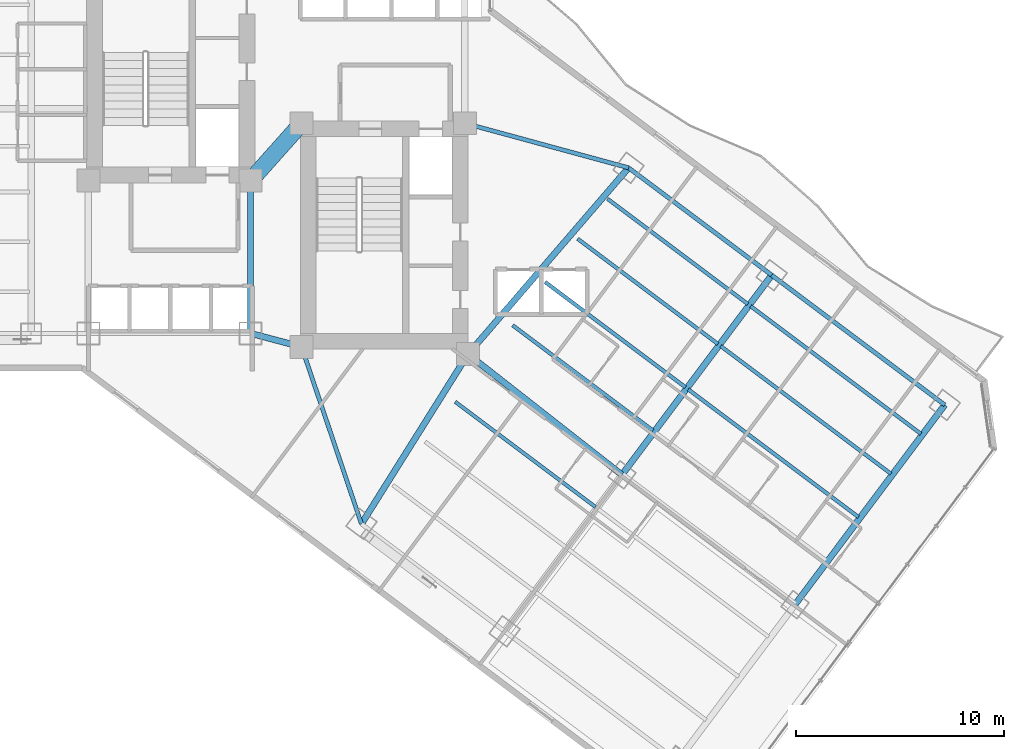
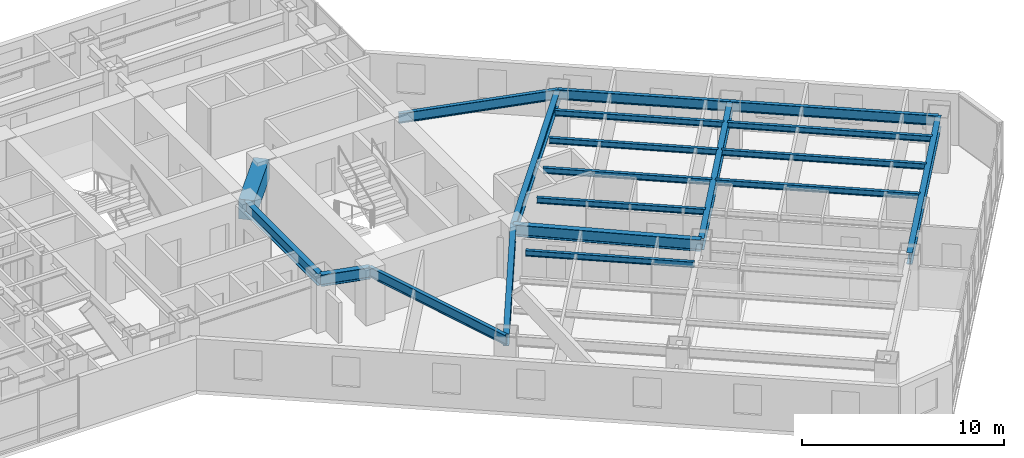
# One storey, part 11 of 33: 20 beams.
"""IFC4 building model written with IfcOpenShell, lengths in metres."""

from ifc_helpers import new_model, si_unit, direction, frame, origin, origin_2d, place, context, subcontext, project, spatial, rectangle, i_section, extrude, material, material_profile, profile_set, type_object, element, save


model = new_model("IFC4")

# Units and contexts
model_context = context("Model", 3, precision=1e-05, world=origin(), true_north=direction((0.0, 1.0)))
body_context = subcontext(model_context, "Body", "Model", "MODEL_VIEW")
ifc_project = project(units=[si_unit("LENGTHUNIT", "METRE"), si_unit("AREAUNIT", "SQUARE_METRE"), si_unit("VOLUMEUNIT", "CUBIC_METRE"), si_unit("PLANEANGLEUNIT", "RADIAN"), si_unit("MASSUNIT", "GRAM", prefix="KILO")], contexts=[model_context])

# Site, building, storey
site_placement = place(None, origin())
site = spatial("IfcSite", under=ifc_project, at=site_placement, CompositionType="ELEMENT")
building_placement = place(site_placement, origin())
building = spatial("IfcBuilding", under=site, at=building_placement, Name="Hatsunagi Terrace Concourse", CompositionType="ELEMENT")
storey_placement = place(building_placement, frame((0.0, 0.0, 56.699951171875)))
storey = spatial("IfcBuildingStorey", under=building, at=storey_placement, Name="L14", CompositionType="ELEMENT", Elevation=56.699951171875)

# Beams
ifc_material_1 = material(Name="Concrete Fc60", Category="concrete")
ifc_material_profile_1 = material_profile(ifc_material_1, rectangle(XDim=0.800048828125, YDim=1.199951171875, at=origin_2d()), Name="RC-800x1200")
ifc_profile_set_1 = profile_set([ifc_material_profile_1], Name="Concrete Fc60")
beam_type_1 = type_object("IfcBeamType", Name="CoreCouplingBeam_RC_800x1200", PredefinedType="BEAM", material=ifc_profile_set_1)
beam_1_placement = place(storey_placement, frame((33.35009765625, 32.550048828125, 2.530029296875), z_axis=(0.665198651008, 0.746666427997, 0.0), x_axis=(-0.746666427997, 0.665198651008, 0.0)))
element("IfcBeam", 1, at=beam_1_placement, inside=storey, type_object=beam_type_1, Name="Beam CB-01 CB-L14-1", PredefinedType="BEAM", context=body_context, shape_type="SweptSolid", body=[
    extrude(rectangle(XDim=0.800048828125, YDim=1.199951171875, at=origin_2d()), origin(), (0.0, 0.0, 1.0), 3.68310546875),
])
ifc_material_2 = material(Name="Steel SN490B", Category="steel")
ifc_material_profile_2 = material_profile(ifc_material_2, i_section(OverallWidth=0.300048828125, OverallDepth=0.699951171875, WebThickness=0.012939453125, FlangeThickness=0.02392578125, FilletRadius=0.02197265625, at=origin_2d()), Name="H-700x300x13x24")
ifc_profile_set_2 = profile_set([ifc_material_profile_2], Name="Steel SN490B")
beam_type_2 = type_object("IfcBeamType", Name="HotelFloorGirder_H_700x300", PredefinedType="BEAM", material=ifc_profile_set_2)
beam_2_placement = place(storey_placement, frame((33.35009765625, 25.199951171875, 2.780029296875), z_axis=(0.0, 1.0, 0.0), x_axis=(-1.0, 0.0, 0.0)))
element("IfcBeam", 2, at=beam_2_placement, inside=storey, type_object=beam_type_2, Name="Beam G-04 BM-L14-K2CA", PredefinedType="BEAM", context=body_context, shape_type="SweptSolid", body=[
    extrude(i_section(OverallWidth=0.300048828125, OverallDepth=0.699951171875, WebThickness=0.012939453125, FlangeThickness=0.02392578125, FilletRadius=0.02197265625, at=origin_2d()), origin(), (0.0, 0.0, 1.0), 7.35009765625),
])
beam_3_placement = place(storey_placement, frame((33.35009765625, 25.199951171875, 2.780029296875), z_axis=(0.966569840116, -0.256403479262, 0.0), x_axis=(0.256403479262, 0.966569840116, 0.0)))
element("IfcBeam", 3, at=beam_3_placement, inside=storey, type_object=beam_type_2, Name="Beam G-04 BM-L14-K2CB", PredefinedType="BEAM", context=body_context, shape_type="SweptSolid", body=[
    extrude(i_section(OverallWidth=0.300048828125, OverallDepth=0.699951171875, WebThickness=0.012939453125, FlangeThickness=0.02392578125, FilletRadius=0.02197265625, at=origin_2d()), origin(), (0.0, 0.0, 1.0), 2.53466796875),
])
beam_4_placement = place(storey_placement, frame((38.679931640625, 16.0400390625, 2.780029296875), z_axis=(0.531503907049, 0.847055840421, 0.0), x_axis=(-0.847055840421, 0.531503907049, 0.0)))
element("IfcBeam", 4, at=beam_4_placement, inside=storey, type_object=beam_type_2, Name="Beam G-04 BM-L14-SET-1A", PredefinedType="BEAM", context=body_context, shape_type="SweptSolid", body=[
    extrude(i_section(OverallWidth=0.300048828125, OverallDepth=0.699951171875, WebThickness=0.012939453125, FlangeThickness=0.02392578125, FilletRadius=0.02197265625, at=origin_2d()), origin(), (0.0, 0.0, 1.0), 9.63330078125),
])
beam_5_placement = place(storey_placement, frame((43.800048828125, 24.199951171875, 2.780029296875), z_axis=(0.652739101421, 0.757582777969, 0.0), x_axis=(-0.757582777969, 0.652739101421, 0.0)))
element("IfcBeam", 5, at=beam_5_placement, inside=storey, type_object=beam_type_2, Name="Beam G-04 BM-L14-SET-1B", PredefinedType="BEAM", context=body_context, shape_type="SweptSolid", body=[
    extrude(i_section(OverallWidth=0.300048828125, OverallDepth=0.699951171875, WebThickness=0.012939453125, FlangeThickness=0.02392578125, FilletRadius=0.02197265625, at=origin_2d()), origin(), (0.0, 0.0, 1.0), 11.8271484375),
])
beam_6_placement = place(storey_placement, frame((43.800048828125, 24.199951171875, 2.780029296875), z_axis=(0.787049441068, -0.616889923175, 0.0), x_axis=(0.616889923175, 0.787049441068, 0.0)))
element("IfcBeam", 6, at=beam_6_placement, inside=storey, type_object=beam_type_2, Name="Beam G-04 BM-L14-SE-M2", PredefinedType="BEAM", context=body_context, shape_type="SweptSolid", body=[
    extrude(i_section(OverallWidth=0.300048828125, OverallDepth=0.699951171875, WebThickness=0.012939453125, FlangeThickness=0.02392578125, FilletRadius=0.02197265625, at=origin_2d()), origin(), (0.0, 0.0, 1.0), 9.402099609375),
])
for number, where, z_axis, x_axis, name in (
    (7, (51.199951171875, 18.39990234375, 2.780029296875), (0.59999348959, 0.800004882766, 0.0), (-0.800004882766, 0.59999348959, 0.0), "Beam G-04 BM-L14-SET-2B"),
    (8, (59.52001953125, 12.159912109375, 2.780029296875), (0.59999348959, 0.800004882766, 0.0), (-0.800004882766, 0.59999348959, 0.0), "Beam G-04 BM-L14-SET-3B"),
):
    element("IfcBeam", number, at=place(storey_placement, frame(where, z_axis=z_axis, x_axis=x_axis)), inside=storey, type_object=beam_type_2, Name=name, PredefinedType="BEAM", context=body_context, shape_type="SweptSolid", body=[
        extrude(i_section(OverallWidth=0.300048828125, OverallDepth=0.699951171875, WebThickness=0.012939453125, FlangeThickness=0.02392578125, FilletRadius=0.02197265625, at=origin_2d()), origin(), (0.0, 0.0, 1.0), 12.0),
    ])
ifc_material_3 = material(Name="Steel SN490B", Category="steel")
ifc_material_profile_3 = material_profile(ifc_material_3, i_section(OverallWidth=0.175048828125, OverallDepth=0.35009765625, WebThickness=0.007080078125, FlangeThickness=0.010986328125, FilletRadius=0.012939453125, at=origin_2d()), Name="H-350x175x7x11")
ifc_profile_set_3 = profile_set([ifc_material_profile_3], Name="Steel SN490B")
beam_type_3 = type_object("IfcBeamType", Name="HotelJoist_H_350x175", PredefinedType="JOIST", material=ifc_profile_set_3)
for number, where, z_axis, x_axis, name in (
    (9, (43.18798828125, 21.908935546875, 2.955078125), (0.800003475366, -0.59999536615, 0.0), (0.59999536615, 0.800003475366, 0.0), "Beam J-02 J-L14-SE-2-96"),
    (10, (45.947998046875, 25.589111328125, 2.955078125), (0.799989573921, -0.600013901187, 0.0), (0.600013901187, 0.799989573921, 0.0), "Beam J-02 J-L14-SE-2-142"),
    (11, (47.508056640625, 27.6689453125, 2.955078125), (0.800003475366, -0.59999536615, 0.0), (0.59999536615, 0.800003475366, 0.0), "Beam J-02 J-L14-SE-2-168"),
    (12, (49.068115234375, 29.7490234375, 2.955078125), (0.799989573921, -0.600013901187, 0.0), (0.600013901187, 0.799989573921, 0.0), "Beam J-02 J-L14-SE-2-194"),
    (13, (50.508056640625, 31.6689453125, 2.955078125), (0.800003475366, -0.59999536615, 0.0), (0.59999536615, 0.800003475366, 0.0), "Beam J-02 J-L14-SE-2-218"),
):
    element("IfcBeam", number, at=place(storey_placement, frame(where, z_axis=z_axis, x_axis=x_axis)), inside=storey, type_object=beam_type_3, Name=name, PredefinedType="JOIST", context=body_context, shape_type="SweptSolid", body=[
        extrude(i_section(OverallWidth=0.175048828125, OverallDepth=0.35009765625, WebThickness=0.007080078125, FlangeThickness=0.010986328125, FilletRadius=0.012939453125, at=origin_2d()), origin(), (0.0, 0.0, 1.0), 8.429931640625),
    ])
beam_7_placement = place(storey_placement, frame((54.387939453125, 22.509033203125, 2.955078125), z_axis=(0.800005727586, -0.599992363142, 0.0), x_axis=(0.599992363142, 0.800005727586, 0.0)))
element("IfcBeam", 14, at=beam_7_placement, inside=storey, type_object=beam_type_3, Name="Beam J-02 J-L14-SE-3-168", PredefinedType="JOIST", context=body_context, shape_type="SweptSolid", body=[
    extrude(i_section(OverallWidth=0.175048828125, OverallDepth=0.35009765625, WebThickness=0.007080078125, FlangeThickness=0.010986328125, FilletRadius=0.012939453125, at=origin_2d()), origin(), (0.0, 0.0, 1.0), 10.22998046875),
])
beam_8_placement = place(storey_placement, frame((55.947998046875, 24.589111328125, 2.955078125), z_axis=(0.799994272423, -0.600007636694, 0.0), x_axis=(0.600007636694, 0.799994272423, 0.0)))
element("IfcBeam", 15, at=beam_8_placement, inside=storey, type_object=beam_type_3, Name="Beam J-02 J-L14-SE-3-194", PredefinedType="JOIST", context=body_context, shape_type="SweptSolid", body=[
    extrude(i_section(OverallWidth=0.175048828125, OverallDepth=0.35009765625, WebThickness=0.007080078125, FlangeThickness=0.010986328125, FilletRadius=0.012939453125, at=origin_2d()), origin(), (0.0, 0.0, 1.0), 10.230224609375),
])
beam_9_placement = place(storey_placement, frame((57.387939453125, 26.509033203125, 2.955078125), z_axis=(0.800005727586, -0.599992363142, 0.0), x_axis=(0.599992363142, 0.800005727586, 0.0)))
element("IfcBeam", 16, at=beam_9_placement, inside=storey, type_object=beam_type_3, Name="Beam J-02 J-L14-SE-3-218", PredefinedType="JOIST", context=body_context, shape_type="SweptSolid", body=[
    extrude(i_section(OverallWidth=0.175048828125, OverallDepth=0.35009765625, WebThickness=0.007080078125, FlangeThickness=0.010986328125, FilletRadius=0.012939453125, at=origin_2d()), origin(), (0.0, 0.0, 1.0), 10.22998046875),
])
ifc_material_4 = material(Name="Steel SN490B", Category="steel")
ifc_material_profile_4 = material_profile(ifc_material_4, i_section(OverallWidth=0.199951171875, OverallDepth=0.60009765625, WebThickness=0.010986328125, FlangeThickness=0.01708984375, FilletRadius=0.01806640625, at=origin_2d()), Name="H-600x200x11x17")
ifc_profile_set_4 = profile_set([ifc_material_profile_4], Name="Steel SN490B")
beam_type_4 = type_object("IfcBeamType", Name="PerimeterSpandrel_H_600x200", PredefinedType="SPANDREL", material=ifc_profile_set_4)
beam_10_placement = place(storey_placement, frame((35.800048828125, 24.550048828125, 2.830078125), z_axis=(0.320553412271, -0.947230441805, 0.0), x_axis=(0.947230441805, 0.320553412271, 0.0)))
element("IfcBeam", 17, at=beam_10_placement, inside=storey, type_object=beam_type_4, Name="Beam SP-01 BM-L14-SE-SW0", PredefinedType="SPANDREL", context=body_context, shape_type="SweptSolid", body=[
    extrude(i_section(OverallWidth=0.199951171875, OverallDepth=0.60009765625, WebThickness=0.010986328125, FlangeThickness=0.01708984375, FilletRadius=0.01806640625, at=origin_2d()), origin(), (0.0, 0.0, 1.0), 8.984130859375),
])
beam_11_placement = place(storey_placement, frame((43.64990234375, 35.300048828125, 2.830078125), z_axis=(0.964958359286, -0.262403057994, 0.0), x_axis=(0.262403057994, 0.964958359286, 0.0)))
element("IfcBeam", 18, at=beam_11_placement, inside=storey, type_object=beam_type_4, Name="Beam SP-01 BM-L14-SE-NE0", PredefinedType="SPANDREL", context=body_context, shape_type="SweptSolid", body=[
    extrude(i_section(OverallWidth=0.199951171875, OverallDepth=0.60009765625, WebThickness=0.010986328125, FlangeThickness=0.01708984375, FilletRadius=0.01806640625, at=origin_2d()), origin(), (0.0, 0.0, 1.0), 8.156005859375),
])
beam_12_placement = place(storey_placement, frame((51.52001953125, 33.159912109375, 2.830078125), z_axis=(0.8, -0.6, 0.0), x_axis=(0.6, 0.8, 0.0)))
element("IfcBeam", 19, at=beam_12_placement, inside=storey, type_object=beam_type_4, Name="Beam SP-01 BM-L14-SE-NE2", PredefinedType="SPANDREL", context=body_context, shape_type="SweptSolid", body=[
    extrude(i_section(OverallWidth=0.199951171875, OverallDepth=0.60009765625, WebThickness=0.010986328125, FlangeThickness=0.01708984375, FilletRadius=0.01806640625, at=origin_2d()), origin(), (0.0, 0.0, 1.0), 8.599853515625),
])
beam_13_placement = place(storey_placement, frame((58.39990234375, 28.0, 2.830078125), z_axis=(0.800002816985, -0.599996244001, 0.0), x_axis=(0.599996244001, 0.800002816985, 0.0)))
element("IfcBeam", 20, at=beam_13_placement, inside=storey, type_object=beam_type_4, Name="Beam SP-01 BM-L14-SE-NE3", PredefinedType="SPANDREL", context=body_context, shape_type="SweptSolid", body=[
    extrude(i_section(OverallWidth=0.199951171875, OverallDepth=0.60009765625, WebThickness=0.010986328125, FlangeThickness=0.01708984375, FilletRadius=0.01806640625, at=origin_2d()), origin(), (0.0, 0.0, 1.0), 10.400146484375),
])

save(model, "model.ifc")
